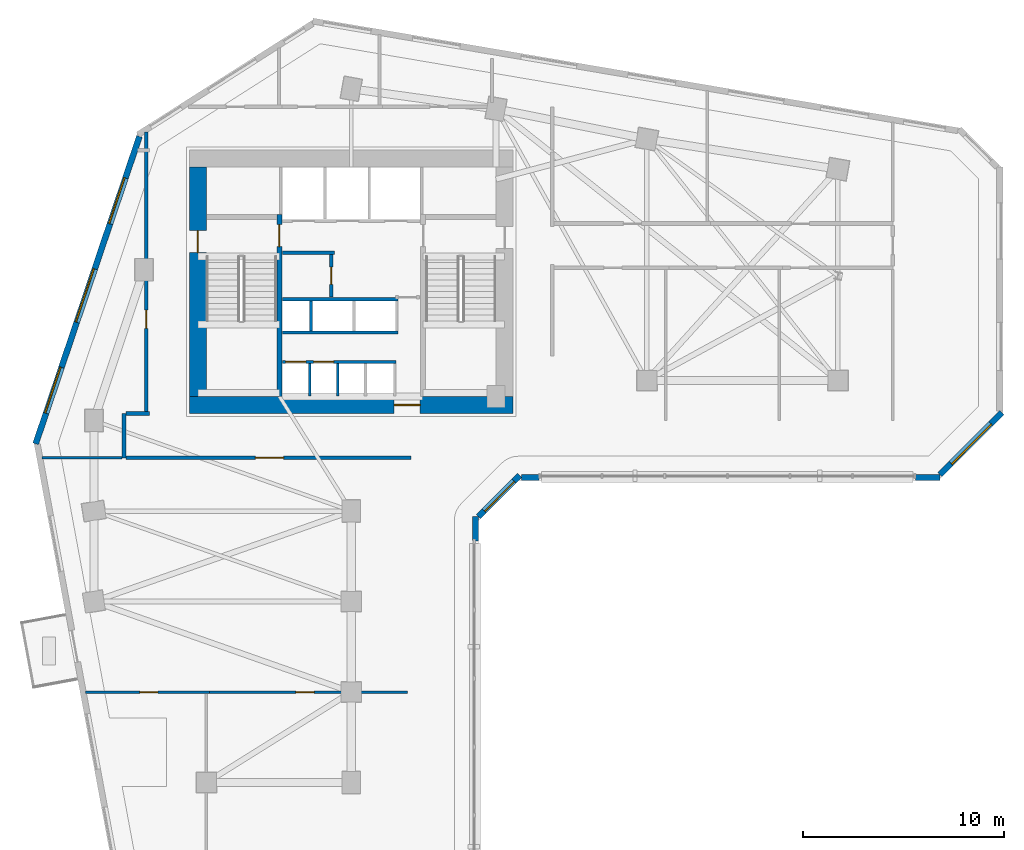
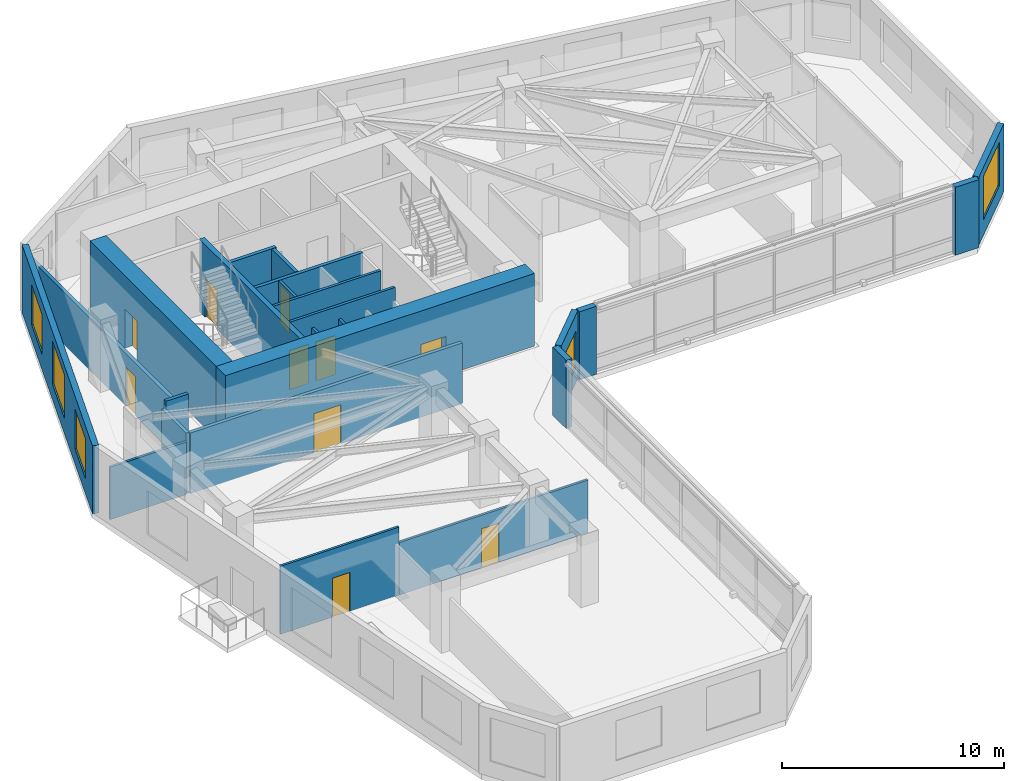
# One storey, part 5 of 9: 24 walls, 10 doors, 5 windows, 15 openings.
"""IFC4 building model written with IfcOpenShell, lengths in metres."""

from ifc_helpers import new_model, si_unit, direction, frame, frame_2d, origin, place, context, subcontext, project, spatial, rectangle, extrude, source, transform, mapped, material, layer, layer_set, type_object, element, fill, save


model = new_model("IFC4")

# Units and contexts
model_context = context("Model", 3, precision=1e-05, world=origin(), true_north=direction((0.0, 1.0)))
body_context = subcontext(model_context, "Body", "Model", "MODEL_VIEW")
ifc_project = project(units=[si_unit("LENGTHUNIT", "METRE"), si_unit("AREAUNIT", "SQUARE_METRE"), si_unit("VOLUMEUNIT", "CUBIC_METRE"), si_unit("PLANEANGLEUNIT", "RADIAN"), si_unit("MASSUNIT", "GRAM", prefix="KILO")], contexts=[model_context])

# Site, building, storey
site_placement = place(None, origin())
site = spatial("IfcSite", under=ifc_project, at=site_placement, CompositionType="ELEMENT")
building_placement = place(site_placement, origin())
building = spatial("IfcBuilding", under=site, at=building_placement, Name="Calvemar Wedge Station Tower", CompositionType="ELEMENT")
storey_placement = place(building_placement, frame((0.0, 0.0, 63.0)))
storey = spatial("IfcBuildingStorey", under=building, at=storey_placement, Name="L15", CompositionType="ELEMENT", Elevation=63.0)

# Wall, opening, door
ifc_material_1 = material(Name="Concrete C50", Category="concrete")
ifc_layer_1 = layer(ifc_material_1, 0.260009765625)
ifc_layer_set_1 = layer_set([ifc_layer_1], Name="Concrete C50")
wall_type_1 = type_object("IfcWallType", Name="SW-CORE-260", PredefinedType="SHEAR", material=ifc_layer_set_1)
wall_1_placement = place(storey_placement, frame((20.22998046875, 34.199951171875, 0.0), z_axis=(0.0, 0.0, 1.0), x_axis=(0.0, 1.0, 0.0)))
wall_1 = element("IfcWall", 1, at=wall_1_placement, inside=storey, type_object=wall_type_1, Name="Storey L15 Core Shear Wall SPINE-W", PredefinedType="SHEAR", context=body_context, shape_type="SweptSolid", body=[
    extrude(rectangle(XDim=9.06005859375, YDim=0.260009765625, at=frame_2d((4.530029296875, 0.0))), origin(), (0.0, 0.0, 1.0), 4.0),
])
shared_shape_1 = source(origin(), body_context, "Body", "SweptSolid", [
    extrude(rectangle(XDim=1.10009765625, YDim=2.14990234375, at=frame_2d((0.550048828125, 1.074951171875))), frame((0.0, 0.14013671875, 0.0), z_axis=(0.0, -1.0, 0.0), x_axis=(1.0, 0.0, 0.0)), (0.0, 0.0, 1.0), 0.280029296875),
])
opening_1_placement = place(wall_1_placement, frame((7.449951171875, 0.0, 0.0)))
opening_1 = element("IfcOpeningElement", 2, at=opening_1_placement, cuts=wall_1, Name="Opening FD-90", PredefinedType="OPENING", context=body_context, shape_type="MappedRepresentation", body=[
    mapped(shared_shape_1, transform((0.0, 0.0, 0.0), scale=1.0)),
])
ifc_material_2 = material(Name="Galvanized fire-rated steel door leaf P-90", Category="steel")
door_type_1 = type_object("IfcDoorType", Name="DR-FD90-1100", OperationType="NOTDEFINED", PredefinedType="DOOR", material=ifc_material_2)
shared_shape_2 = source(origin(), body_context, "Body", "SweptSolid", [
    extrude(rectangle(XDim=1.10009765625, YDim=2.14990234375, at=frame_2d((0.550048828125, 1.074951171875))), frame((0.0, 0.02490234375, 0.0), z_axis=(0.0, -1.0, 0.0), x_axis=(1.0, 0.0, 0.0)), (0.0, 0.0, 1.0), 0.050048828125),
])
door_1_placement = place(opening_1_placement, origin())
door_1 = element("IfcDoor", 3, at=door_1_placement, inside=storey, type_object=door_type_1, Name="L15 FF Lobby to Stair ST-C1 Door", OperationType="SINGLE_SWING_RIGHT", OverallHeight=2.14990234375, OverallWidth=1.10009765625, PredefinedType="DOOR", context=body_context, shape_type="MappedRepresentation", body=[
    mapped(shared_shape_2, transform((0.0, 0.0, 0.0), scale=1.0)),
])
fill(opening_1, door_1)

ifc_material_3 = material(Name="Concrete C80", Category="concrete")
ifc_layer_2 = layer(ifc_material_3, 0.85009765625)
ifc_layer_set_2 = layer_set([ifc_layer_2], Name="Concrete C80")
wall_type_2 = type_object("IfcWallType", Name="SW-CORE-850", PredefinedType="SHEAR", material=ifc_layer_set_2)
wall_2_placement = place(storey_placement, frame((15.75, 33.77490234375, 0.0), z_axis=(0.0, 0.0, 1.0), x_axis=(1.0, 0.0, 0.0)))
wall_2 = element("IfcWall", 4, at=wall_2_placement, inside=storey, type_object=wall_type_2, Name="Storey L15 Core Shear Wall S", PredefinedType="SHEAR", context=body_context, shape_type="SweptSolid", body=[
    extrude(rectangle(XDim=16.10009765625, YDim=0.85009765625, at=frame_2d((8.050048828125, 0.0))), origin(), (0.0, 0.0, 1.0), 4.0),
])
shared_shape_3 = source(origin(), body_context, "Body", "SweptSolid", [
    extrude(rectangle(XDim=1.300048828125, YDim=2.14990234375, at=frame_2d((0.64990234375, 1.074951171875))), frame((0.0, 0.43505859375, 0.0), z_axis=(0.0, -1.0, 0.0), x_axis=(1.0, 0.0, 0.0)), (0.0, 0.0, 1.0), 0.8701171875),
])
opening_2_placement = place(wall_2_placement, frame((10.179931640625, 0.0, 0.0)))
opening_2 = element("IfcOpeningElement", 5, at=opening_2_placement, cuts=wall_2, Name="Opening DD-130", PredefinedType="OPENING", context=body_context, shape_type="MappedRepresentation", body=[
    mapped(shared_shape_3, transform((0.0, 0.0, 0.0), scale=1.0)),
])
ifc_material_4 = material(Name="Double-leaf lift lobby fire door EI 60")
door_type_2 = type_object("IfcDoorType", Name="DR-DBL-1300", OperationType="DOUBLE_DOOR_SINGLE_SWING", PredefinedType="DOOR", material=ifc_material_4)
shared_shape_4 = source(origin(), body_context, "Body", "SweptSolid", [
    extrude(rectangle(XDim=1.300048828125, YDim=2.14990234375, at=frame_2d((0.64990234375, 1.074951171875))), frame((0.0, 0.02490234375, 0.0), z_axis=(0.0, -1.0, 0.0), x_axis=(1.0, 0.0, 0.0)), (0.0, 0.0, 1.0), 0.050048828125),
])
door_2_placement = place(opening_2_placement, origin())
door_2 = element("IfcDoor", 6, at=door_2_placement, inside=storey, type_object=door_type_2, Name="L15 Passenger Lift Lobby Door", OperationType="DOUBLE_DOOR_SINGLE_SWING", OverallHeight=2.14990234375, OverallWidth=1.300048828125, PredefinedType="DOOR", context=body_context, shape_type="MappedRepresentation", body=[
    mapped(shared_shape_4, transform((0.0, 0.0, 0.0), scale=1.0)),
])
fill(opening_2, door_2)

wall_3_placement = place(storey_placement, frame((16.175048828125, 34.199951171875, 0.0), z_axis=(0.0, 0.0, 1.0), x_axis=(0.0, 1.0, 0.0)))
wall_3 = element("IfcWall", 7, at=wall_3_placement, inside=storey, type_object=wall_type_2, Name="Storey L15 Core Shear Wall W", PredefinedType="SHEAR", context=body_context, shape_type="SweptSolid", body=[
    extrude(rectangle(XDim=11.400146484375, YDim=0.85009765625, at=frame_2d((5.7001953125, 0.0))), origin(), (0.0, 0.0, 1.0), 4.0),
])
shared_shape_5 = source(origin(), body_context, "Body", "SweptSolid", [
    extrude(rectangle(XDim=1.10009765625, YDim=2.14990234375, at=frame_2d((0.550048828125, 1.074951171875))), frame((0.0, 0.43505859375, 0.0), z_axis=(0.0, -1.0, 0.0), x_axis=(1.0, 0.0, 0.0)), (0.0, 0.0, 1.0), 0.8701171875),
])
opening_3_placement = place(wall_3_placement, frame((7.14990234375, 0.0, 0.0)))
opening_3 = element("IfcOpeningElement", 8, at=opening_3_placement, cuts=wall_3, Name="Opening FD-90", PredefinedType="OPENING", context=body_context, shape_type="MappedRepresentation", body=[
    mapped(shared_shape_5, transform((0.0, 0.0, 0.0), scale=1.0)),
])
door_3_placement = place(opening_3_placement, origin())
door_3 = element("IfcDoor", 9, at=door_3_placement, inside=storey, type_object=door_type_1, Name="L15 West Corridor to Exit Stair ST-C1 Door", OperationType="SINGLE_SWING_RIGHT", OverallHeight=2.14990234375, OverallWidth=1.10009765625, PredefinedType="DOOR", context=body_context, shape_type="MappedRepresentation", body=[
    mapped(shared_shape_2, transform((0.0, 0.0, 0.0), scale=1.0)),
])
fill(opening_3, door_3)

# Wall
ifc_material_5 = material(Name="Double-stud fire-rated corridor partition")
ifc_layer_3 = layer(ifc_material_5, 0.179931640625)
ifc_layer_set_3 = layer_set([ifc_layer_3], Name="Double-stud fire-rated corridor partition")
wall_type_3 = type_object("IfcWallType", Name="W-CORR-180", PredefinedType="PARTITIONING", material=ifc_layer_set_3)
wall_4_placement = place(storey_placement, frame((22.9599609375, 41.35009765625, 0.0), z_axis=(0.0, 0.0, 1.0), x_axis=(-1.0, 0.0, 0.0)))
element("IfcWall", 10, at=wall_4_placement, inside=storey, type_object=wall_type_3, Name="Storey L15 Interior Partition WL-L15-001", PredefinedType="PARTITIONING", context=body_context, shape_type="SweptSolid", body=[
    extrude(rectangle(XDim=2.580078125, YDim=0.179931640625, at=frame_2d((1.2900390625, 0.0))), origin(), (0.0, 0.0, 1.0), 3.75),
])

# Wall, opening, door
wall_5_placement = place(storey_placement, frame((22.800048828125, 41.256103515625, 0.0), z_axis=(0.0, 0.0, 1.0), x_axis=(0.0, -1.0, 0.0)))
wall_5 = element("IfcWall", 11, at=wall_5_placement, inside=storey, type_object=wall_type_3, Name="Storey L15 Interior Partition WL-L15-002", PredefinedType="PARTITIONING", context=body_context, shape_type="SweptSolid", body=[
    extrude(rectangle(XDim=2.106201171875, YDim=0.179931640625, at=frame_2d((1.05322265625, 0.0))), origin(), (0.0, 0.0, 1.0), 3.75),
])
shared_shape_6 = source(origin(), body_context, "Body", "SweptSolid", [
    extrude(rectangle(XDim=0.85009765625, YDim=2.14990234375, at=frame_2d((0.425048828125, 1.074951171875))), frame((0.0, 0.10009765625, 0.0), z_axis=(0.0, -1.0, 0.0), x_axis=(1.0, 0.0, 0.0)), (0.0, 0.0, 1.0), 0.199951171875),
])
opening_4_placement = place(wall_5_placement, frame((0.6279296875, 0.0, 0.0)))
opening_4 = element("IfcOpeningElement", 12, at=opening_4_placement, cuts=wall_5, Name="Opening FD-60S", PredefinedType="OPENING", context=body_context, shape_type="MappedRepresentation", body=[
    mapped(shared_shape_6, transform((0.0, 0.0, 0.0), scale=1.0)),
])
ifc_material_6 = material(Name="Fire-rated steel and hardwood service door EI 60", Category="steel")
door_type_3 = type_object("IfcDoorType", Name="DR-CORE-FD60-850", OperationType="NOTDEFINED", PredefinedType="DOOR", material=ifc_material_6)
shared_shape_7 = source(origin(), body_context, "Body", "SweptSolid", [
    extrude(rectangle(XDim=0.85009765625, YDim=2.14990234375, at=frame_2d((0.425048828125, 1.074951171875))), frame((0.0, 0.02490234375, 0.0), z_axis=(0.0, -1.0, 0.0), x_axis=(1.0, 0.0, 0.0)), (0.0, 0.0, 1.0), 0.050048828125),
])
door_4_placement = place(opening_4_placement, origin())
door_4 = element("IfcDoor", 13, at=door_4_placement, inside=storey, type_object=door_type_3, Name="L15 Core Electrical Switch Room Door", OperationType="SINGLE_SWING_RIGHT", OverallHeight=2.14990234375, OverallWidth=0.85009765625, PredefinedType="DOOR", context=body_context, shape_type="MappedRepresentation", body=[
    mapped(shared_shape_7, transform((0.0, 0.0, 0.0), scale=1.0)),
])
fill(opening_4, door_4)

# Walls
wall_6_placement = place(storey_placement, frame((12.5, 31.14990234375, 0.0), z_axis=(0.0, 0.0, 1.0), x_axis=(0.0, 1.0, 0.0)))
element("IfcWall", 14, at=wall_6_placement, inside=storey, type_object=wall_type_3, Name="Storey L15 Interior Partition WL-L15-004", PredefinedType="PARTITIONING", context=body_context, shape_type="SweptSolid", body=[
    extrude(rectangle(XDim=2.2001953125, YDim=0.179931640625, at=frame_2d((1.10009765625, 0.0))), origin(), (0.0, 0.0, 1.0), 3.3349609375),
])
wall_7_placement = place(storey_placement, frame((12.593994140625, 33.35009765625, 0.0), z_axis=(0.0, 0.0, 1.0), x_axis=(1.0, 0.0, 0.0)))
element("IfcWall", 15, at=wall_7_placement, inside=storey, type_object=wall_type_3, Name="Storey L15 Interior Partition WL-L15-005", PredefinedType="PARTITIONING", context=body_context, shape_type="SweptSolid", body=[
    extrude(rectangle(XDim=1.166015625, YDim=0.179931640625, at=frame_2d((0.5830078125, 0.0))), origin(), (0.0, 0.0, 1.0), 3.75),
])

# Wall, opening, door
wall_8_placement = place(storey_placement, frame((26.760009765625, 31.14990234375, 0.0), z_axis=(0.0, 0.0, 1.0), x_axis=(-1.0, 0.0, 0.0)))
wall_8 = element("IfcWall", 16, at=wall_8_placement, inside=storey, type_object=wall_type_3, Name="Storey L15 Interior Partition WL-L15-006", PredefinedType="PARTITIONING", context=body_context, shape_type="SweptSolid", body=[
    extrude(rectangle(XDim=14.166015625, YDim=0.179931640625, at=frame_2d((7.0830078125, 0.0))), origin(), (0.0, 0.0, 1.0), 3.3349609375),
])
shared_shape_8 = source(origin(), body_context, "Body", "SweptSolid", [
    extrude(rectangle(XDim=1.39990234375, YDim=2.14990234375, at=frame_2d((0.699951171875, 1.074951171875))), frame((0.0, 0.10009765625, 0.0), z_axis=(0.0, -1.0, 0.0), x_axis=(1.0, 0.0, 0.0)), (0.0, 0.0, 1.0), 0.199951171875),
])
opening_5_placement = place(wall_8_placement, frame((6.322509765625, 0.0, 0.0)))
opening_5 = element("IfcOpeningElement", 17, at=opening_5_placement, cuts=wall_8, Name="Opening DD-140", PredefinedType="OPENING", context=body_context, shape_type="MappedRepresentation", body=[
    mapped(shared_shape_8, transform((0.0, 0.0, 0.0), scale=1.0)),
])
ifc_material_7 = material(Name="Double-leaf corridor acoustic fire door EI 60")
door_type_4 = type_object("IfcDoorType", Name="DR-DBL-1400", OperationType="DOUBLE_DOOR_SINGLE_SWING", PredefinedType="DOOR", material=ifc_material_7)
shared_shape_9 = source(origin(), body_context, "Body", "SweptSolid", [
    extrude(rectangle(XDim=1.39990234375, YDim=2.14990234375, at=frame_2d((0.699951171875, 1.074951171875))), frame((0.0, 0.02490234375, 0.0), z_axis=(0.0, -1.0, 0.0), x_axis=(1.0, 0.0, 0.0)), (0.0, 0.0, 1.0), 0.050048828125),
])
door_5_placement = place(opening_5_placement, origin())
door_5 = element("IfcDoor", 18, at=door_5_placement, inside=storey, type_object=door_type_4, Name="L15 Co-Working Studio Door", OperationType="SINGLE_SWING_RIGHT", OverallHeight=2.14990234375, OverallWidth=1.39990234375, PredefinedType="DOOR", context=body_context, shape_type="MappedRepresentation", body=[
    mapped(shared_shape_9, transform((0.0, 0.0, 0.0), scale=1.0)),
])
fill(opening_5, door_5)

wall_9_placement = place(storey_placement, frame((13.60009765625, 33.444091796875, 0.0), z_axis=(0.0, 0.0, 1.0), x_axis=(0.0, 1.0, 0.0)))
wall_9 = element("IfcWall", 19, at=wall_9_placement, inside=storey, type_object=wall_type_3, Name="Storey L15 Interior Partition WL-L15-007", PredefinedType="PARTITIONING", context=body_context, shape_type="SweptSolid", body=[
    extrude(rectangle(XDim=13.896240234375, YDim=0.179931640625, at=frame_2d((6.9482421875, 0.0))), origin(), (0.0, 0.0, 1.0), 2.89208984375),
])
shared_shape_10 = source(origin(), body_context, "Body", "SweptSolid", [
    extrude(rectangle(XDim=0.89990234375, YDim=2.14990234375, at=frame_2d((0.449951171875, 1.074951171875))), frame((0.0, 0.10009765625, 0.0), z_axis=(0.0, -1.0, 0.0), x_axis=(1.0, 0.0, 0.0)), (0.0, 0.0, 1.0), 0.199951171875),
])
opening_6_placement = place(wall_9_placement, frame((4.143798828125, 0.0, 0.0)))
opening_6 = element("IfcOpeningElement", 20, at=opening_6_placement, cuts=wall_9, Name="Opening D-01", PredefinedType="OPENING", context=body_context, shape_type="MappedRepresentation", body=[
    mapped(shared_shape_10, transform((0.0, 0.0, 0.0), scale=1.0)),
])
ifc_material_8 = material(Name="Architectural hardwood acoustic swing door", Category="wood")
door_type_5 = type_object("IfcDoorType", Name="DR-INT-900", OperationType="NOTDEFINED", PredefinedType="DOOR", material=ifc_material_8)
shared_shape_11 = source(origin(), body_context, "Body", "SweptSolid", [
    extrude(rectangle(XDim=0.89990234375, YDim=2.14990234375, at=frame_2d((0.449951171875, 1.074951171875))), frame((0.0, 0.02490234375, 0.0), z_axis=(0.0, -1.0, 0.0), x_axis=(1.0, 0.0, 0.0)), (0.0, 0.0, 1.0), 0.050048828125),
])
door_6_placement = place(opening_6_placement, origin())
door_6 = element("IfcDoor", 21, at=door_6_placement, inside=storey, type_object=door_type_5, Name="L15 Co-Working Studio Door", OperationType="SINGLE_SWING_RIGHT", OverallHeight=2.14990234375, OverallWidth=0.89990234375, PredefinedType="DOOR", context=body_context, shape_type="MappedRepresentation", body=[
    mapped(shared_shape_11, transform((0.0, 0.0, 0.0), scale=1.0)),
])
fill(opening_6, door_6)

# Wall
ifc_material_9 = material(Name="Precast concrete C45", Category="concrete")
ifc_layer_4 = layer(ifc_material_9, 0.300048828125)
ifc_layer_set_4 = layer_set([ifc_layer_4], Name="Precast concrete C45")
wall_type_4 = type_object("IfcWallType", Name="W-EXT-GFRC-300", PredefinedType="SOLIDWALL", material=ifc_layer_set_4)
wall_10_placement = place(storey_placement, frame((29.97802734375, 27.01513671875, 0.0), z_axis=(0.0, 0.0, 1.0), x_axis=(0.0, 1.0, 0.0)))
element("IfcWall", 22, at=wall_10_placement, inside=storey, type_object=wall_type_4, Name="Storey L15 Bronze GFRC Corner Pier 4B", PredefinedType="SOLIDWALL", context=body_context, shape_type="SweptSolid", body=[
    extrude(rectangle(XDim=1.224853515625, YDim=0.300048828125, at=frame_2d((0.6123046875, 0.0))), origin(), (0.0, 0.0, 1.0), 3.75),
])

# Wall, opening, window
wall_11_placement = place(storey_placement, frame((30.115966796875, 28.22802734375, 0.0), z_axis=(0.0, 0.0, 1.0), x_axis=(0.707064797706, 0.707148762175, 0.0)))
wall_11 = element("IfcWall", 23, at=wall_11_placement, inside=storey, type_object=wall_type_4, Name="Storey L15 Bronze GFRC Exterior Wall 5", PredefinedType="SOLIDWALL", context=body_context, shape_type="SweptSolid", body=[
    extrude(rectangle(XDim=2.90771484375, YDim=0.300048828125, at=frame_2d((1.453857421875, 0.0))), origin(), (0.0, 0.0, 1.0), 3.75),
])
shared_shape_12 = source(origin(), body_context, "Body", "SweptSolid", [
    extrude(rectangle(XDim=2.10009765625, YDim=2.0, at=frame_2d((1.050048828125, 1.0))), frame((0.0, 0.16015625, 0.0), z_axis=(0.0, -1.0, 0.0), x_axis=(1.0, 0.0, 0.0)), (0.0, 0.0, 1.0), 0.320068359375),
])
opening_7_placement = place(wall_11_placement, frame((0.404052734375, 0.0, 0.85009765625)))
opening_7 = element("IfcOpeningElement", 24, at=opening_7_placement, cuts=wall_11, Name="Opening W4", PredefinedType="OPENING", context=body_context, shape_type="MappedRepresentation", body=[
    mapped(shared_shape_12, transform((0.0, 0.0, 0.0), scale=1.0)),
])
ifc_material_10 = material(Name="Low-E laminated insulated glass", Category="glass")
window_type_1 = type_object("IfcWindowType", Name="WIN-EXT-4", PartitioningType="SINGLE_PANEL", PredefinedType="WINDOW", material=ifc_material_10)
shared_shape_13 = source(origin(), body_context, "Body", "SweptSolid", [
    extrude(rectangle(XDim=2.10009765625, YDim=2.0, at=frame_2d((1.050048828125, 1.0))), frame((0.0, -0.014892578125, 0.0), z_axis=(0.0, -1.0, 0.0), x_axis=(1.0, 0.0, 0.0)), (0.0, 0.0, 1.0), 0.06005859375),
])
window_1_placement = place(opening_7_placement, origin())
window_1 = element("IfcWindow", 25, at=window_1_placement, inside=storey, type_object=window_type_1, Name="Storey L15 Recessed Window 5.1", OverallHeight=2.0, OverallWidth=2.10009765625, PartitioningType="SINGLE_PANEL", PredefinedType="WINDOW", context=body_context, shape_type="MappedRepresentation", body=[
    mapped(shared_shape_13, transform((0.0, 0.0, 0.0), scale=1.0)),
])
fill(opening_7, window_1)

# Walls
wall_12_placement = place(storey_placement, frame((32.260986328125, 30.177978515625, 0.0), z_axis=(0.0, 0.0, 1.0), x_axis=(1.0, 0.0, 0.0)))
element("IfcWall", 26, at=wall_12_placement, inside=storey, type_object=wall_type_4, Name="Storey L15 Bronze GFRC Corner Pier 6A", PredefinedType="SOLIDWALL", context=body_context, shape_type="SweptSolid", body=[
    extrude(rectangle(XDim=0.8798828125, YDim=0.300048828125, at=frame_2d((0.43994140625, 0.0))), origin(), (0.0, 0.0, 1.0), 3.75),
])
wall_13_placement = place(storey_placement, frame((51.86279296875, 30.177978515625, 0.0), z_axis=(0.0, 0.0, 1.0), x_axis=(1.0, 0.0, 0.0)))
element("IfcWall", 27, at=wall_13_placement, inside=storey, type_object=wall_type_4, Name="Storey L15 Bronze GFRC Corner Pier 6B", PredefinedType="SOLIDWALL", context=body_context, shape_type="SweptSolid", body=[
    extrude(rectangle(XDim=1.22509765625, YDim=0.300048828125, at=frame_2d((0.612548828125, 0.0))), origin(), (0.0, 0.0, 1.0), 3.75),
])

# Wall, opening, window
wall_14_placement = place(storey_placement, frame((53.075927734375, 30.31591796875, 0.0), z_axis=(0.0, 0.0, 1.0), x_axis=(0.707078757535, 0.707134803727, 0.0)))
wall_14 = element("IfcWall", 28, at=wall_14_placement, inside=storey, type_object=wall_type_4, Name="Storey L15 Bronze GFRC Exterior Wall 7", PredefinedType="SOLIDWALL", context=body_context, shape_type="SweptSolid", body=[
    extrude(rectangle(XDim=4.35595703125, YDim=0.300048828125, at=frame_2d((2.177978515625, 0.0))), origin(), (0.0, 0.0, 1.0), 3.75),
])
shared_shape_14 = source(origin(), body_context, "Body", "SweptSolid", [
    extrude(rectangle(XDim=2.800048828125, YDim=2.39990234375, at=frame_2d((1.39990234375, 1.199951171875))), frame((0.0, 0.16015625, 0.0), z_axis=(0.0, -1.0, 0.0), x_axis=(1.0, 0.0, 0.0)), (0.0, 0.0, 1.0), 0.320068359375),
])
opening_8_placement = place(wall_14_placement, frame((0.778076171875, 0.0, 0.85009765625)))
opening_8 = element("IfcOpeningElement", 29, at=opening_8_placement, cuts=wall_14, Name="Opening W6", PredefinedType="OPENING", context=body_context, shape_type="MappedRepresentation", body=[
    mapped(shared_shape_14, transform((0.0, 0.0, 0.0), scale=1.0)),
])
window_type_2 = type_object("IfcWindowType", Name="WIN-EXT-6", PartitioningType="SINGLE_PANEL", PredefinedType="WINDOW", material=ifc_material_10)
shared_shape_15 = source(origin(), body_context, "Body", "SweptSolid", [
    extrude(rectangle(XDim=2.800048828125, YDim=2.39990234375, at=frame_2d((1.39990234375, 1.199951171875))), frame((0.0, -0.014892578125, 0.0), z_axis=(0.0, -1.0, 0.0), x_axis=(1.0, 0.0, 0.0)), (0.0, 0.0, 1.0), 0.06005859375),
])
window_2_placement = place(opening_8_placement, origin())
window_2 = element("IfcWindow", 30, at=window_2_placement, inside=storey, type_object=window_type_2, Name="Storey L15 Recessed Window 7.1", OverallHeight=2.39990234375, OverallWidth=2.800048828125, PartitioningType="SINGLE_PANEL", PredefinedType="WINDOW", context=body_context, shape_type="MappedRepresentation", body=[
    mapped(shared_shape_15, transform((0.0, 0.0, 0.0), scale=1.0)),
])
fill(opening_8, window_2)

# Wall, openings, windows
wall_15_placement = place(storey_placement, frame((13.2685546875, 47.1337890625, 0.0), z_axis=(0.0, 0.0, 1.0), x_axis=(-0.319920423265, -0.947444416722, 0.0)))
wall_15 = element("IfcWall", 31, at=wall_15_placement, inside=storey, type_object=wall_type_4, Name="Storey L15 Bronze GFRC Exterior Wall 12", PredefinedType="SOLIDWALL", context=body_context, shape_type="SweptSolid", body=[
    extrude(rectangle(XDim=16.134765625, YDim=0.300048828125, at=frame_2d((8.0673828125, 0.0))), origin(), (0.0, 0.0, 1.0), 3.75),
])
shared_shape_16 = source(origin(), body_context, "Body", "SweptSolid", [
    extrude(rectangle(XDim=2.39990234375, YDim=2.199951171875, at=frame_2d((1.199951171875, 1.10009765625))), frame((0.0, 0.16015625, 0.0), z_axis=(0.0, -1.0, 0.0), x_axis=(1.0, 0.0, 0.0)), (0.0, 0.0, 1.0), 0.320068359375),
])
opening_9_placement = place(wall_15_placement, frame((2.18798828125, 0.0, 0.85009765625)))
opening_9 = element("IfcOpeningElement", 32, at=opening_9_placement, cuts=wall_15, Name="Opening W1", PredefinedType="OPENING", context=body_context, shape_type="MappedRepresentation", body=[
    mapped(shared_shape_16, transform((0.0, 0.0, 0.0), scale=1.0)),
])
opening_10_placement = place(wall_15_placement, frame((6.958984375, 0.0, 0.85009765625)))
opening_10 = element("IfcOpeningElement", 33, at=opening_10_placement, cuts=wall_15, Name="Opening W6", PredefinedType="OPENING", context=body_context, shape_type="MappedRepresentation", body=[
    mapped(shared_shape_14, transform((0.0, 0.0, 0.0), scale=1.0)),
])
opening_11_placement = place(wall_15_placement, frame((12.1298828125, 0.0, 0.85009765625)))
opening_11 = element("IfcOpeningElement", 34, at=opening_11_placement, cuts=wall_15, Name="Opening W1", PredefinedType="OPENING", context=body_context, shape_type="MappedRepresentation", body=[
    mapped(shared_shape_16, transform((0.0, 0.0, 0.0), scale=1.0)),
])
window_3_placement = place(opening_10_placement, origin())
window_3 = element("IfcWindow", 35, at=window_3_placement, inside=storey, type_object=window_type_2, Name="Storey L15 Recessed Window 12.2", OverallHeight=2.39990234375, OverallWidth=2.800048828125, PartitioningType="SINGLE_PANEL", PredefinedType="WINDOW", context=body_context, shape_type="MappedRepresentation", body=[
    mapped(shared_shape_15, transform((0.0, 0.0, 0.0), scale=1.0)),
])
fill(opening_10, window_3)
window_type_3 = type_object("IfcWindowType", Name="WIN-EXT-1", PartitioningType="SINGLE_PANEL", PredefinedType="WINDOW", material=ifc_material_10)
shared_shape_17 = source(origin(), body_context, "Body", "SweptSolid", [
    extrude(rectangle(XDim=2.39990234375, YDim=2.199951171875, at=frame_2d((1.199951171875, 1.10009765625))), frame((0.0, -0.014892578125, 0.0), z_axis=(0.0, -1.0, 0.0), x_axis=(1.0, 0.0, 0.0)), (0.0, 0.0, 1.0), 0.06005859375),
])
window_4_placement = place(opening_9_placement, origin())
window_4 = element("IfcWindow", 36, at=window_4_placement, inside=storey, type_object=window_type_3, Name="Storey L15 Recessed Window 12.1", OverallHeight=2.199951171875, OverallWidth=2.39990234375, PartitioningType="SINGLE_PANEL", PredefinedType="WINDOW", context=body_context, shape_type="MappedRepresentation", body=[
    mapped(shared_shape_17, transform((0.0, 0.0, 0.0), scale=1.0)),
])
fill(opening_9, window_4)
window_5_placement = place(opening_11_placement, origin())
window_5 = element("IfcWindow", 37, at=window_5_placement, inside=storey, type_object=window_type_3, Name="Storey L15 Recessed Window 12.3", OverallHeight=2.199951171875, OverallWidth=2.39990234375, PartitioningType="SINGLE_PANEL", PredefinedType="WINDOW", context=body_context, shape_type="MappedRepresentation", body=[
    mapped(shared_shape_17, transform((0.0, 0.0, 0.0), scale=1.0)),
])
fill(opening_11, window_5)

# Wall, openings, doors
ifc_material_11 = material(Name="Reinforced concrete blockwork lift shaft wall", Category="masonry")
ifc_layer_5 = layer(ifc_material_11, 0.139892578125)
ifc_layer_set_5 = layer_set([ifc_layer_5], Name="Reinforced concrete blockwork lift shaft wall")
wall_type_5 = type_object("IfcWallType", Name="W-LIFT-160", PredefinedType="SOLIDWALL", material=ifc_layer_set_5)
wall_16_placement = place(storey_placement, frame((20.3798828125, 35.919921875, 0.0), z_axis=(0.0, 0.0, 1.0), x_axis=(1.0, 0.0, 0.0)))
wall_16 = element("IfcWall", 38, at=wall_16_placement, inside=storey, type_object=wall_type_5, Name="Storey L15 South Passenger Lift Bank Front Wall", PredefinedType="SOLIDWALL", context=body_context, shape_type="SweptSolid", body=[
    extrude(rectangle(XDim=5.650146484375, YDim=0.139892578125, at=frame_2d((2.8251953125, 0.0))), origin(), (0.0, 0.0, 1.0), 3.75),
])
shared_shape_18 = source(origin(), body_context, "Body", "SweptSolid", [
    extrude(rectangle(XDim=1.0, YDim=2.14990234375, at=frame_2d((0.5, 1.074951171875))), frame((0.0, 0.080078125, 0.0), z_axis=(0.0, -1.0, 0.0), x_axis=(1.0, 0.0, 0.0)), (0.0, 0.0, 1.0), 0.159912109375),
])
opening_12_placement = place(wall_16_placement, frame((0.159912109375, 0.0, 0.0)))
opening_12 = element("IfcOpeningElement", 39, at=opening_12_placement, cuts=wall_16, Name="Opening LD-PAX", PredefinedType="OPENING", context=body_context, shape_type="MappedRepresentation", body=[
    mapped(shared_shape_18, transform((0.0, 0.0, 0.0), scale=1.0)),
])
opening_13_placement = place(wall_16_placement, frame((1.550048828125, 0.0, 0.0)))
opening_13 = element("IfcOpeningElement", 40, at=opening_13_placement, cuts=wall_16, Name="Opening LD-PAX", PredefinedType="OPENING", context=body_context, shape_type="MappedRepresentation", body=[
    mapped(shared_shape_18, transform((0.0, 0.0, 0.0), scale=1.0)),
])
ifc_material_12 = material(Name="Anodised bronze passenger lift sliding landing door")
door_type_6 = type_object("IfcDoorType", Name="DR-LD-PAX-1000", OperationType="SLIDING_TO_LEFT", PredefinedType="DOOR", material=ifc_material_12)
shared_shape_19 = source(origin(), body_context, "Body", "SweptSolid", [
    extrude(rectangle(XDim=1.0, YDim=2.14990234375, at=frame_2d((0.5, 1.074951171875))), frame((0.0, 0.02490234375, 0.0), z_axis=(0.0, -1.0, 0.0), x_axis=(1.0, 0.0, 0.0)), (0.0, 0.0, 1.0), 0.050048828125),
])
door_7_placement = place(opening_12_placement, origin())
door_7 = element("IfcDoor", 41, at=door_7_placement, inside=storey, type_object=door_type_6, Name="L15 Lift OL-01 Sliding Landing Door", OperationType="SLIDING_TO_LEFT", OverallHeight=2.14990234375, OverallWidth=1.0, PredefinedType="DOOR", context=body_context, shape_type="MappedRepresentation", body=[
    mapped(shared_shape_19, transform((0.0, 0.0, 0.0), scale=1.0)),
])
fill(opening_12, door_7)
door_8_placement = place(opening_13_placement, origin())
door_8 = element("IfcDoor", 42, at=door_8_placement, inside=storey, type_object=door_type_6, Name="L15 Lift OL-02 Sliding Landing Door", OperationType="SLIDING_TO_RIGHT", OverallHeight=2.14990234375, OverallWidth=1.0, PredefinedType="DOOR", context=body_context, shape_type="MappedRepresentation", body=[
    mapped(shared_shape_19, transform((0.0, 0.0, 0.0), scale=1.0)),
])
fill(opening_13, door_8)

# Walls
for number, where, z_axis, x_axis, name in (
    (43, (21.735107421875, 34.219970703125, 0.0), (0.0, 0.0, 1.0), (0.0, 1.0, 0.0), "Storey L15 South Passenger Lift Shaft Wall D1"),
    (44, (23.125, 34.219970703125, 0.0), (0.0, 0.0, 1.0), (0.0, 1.0, 0.0), "Storey L15 South Passenger Lift Shaft Wall D2"),
):
    element("IfcWall", number, at=place(storey_placement, frame(where, z_axis=z_axis, x_axis=x_axis)), inside=storey, type_object=wall_type_5, Name=name, PredefinedType="SOLIDWALL", context=body_context, shape_type="SweptSolid", body=[
        extrude(rectangle(XDim=1.6201171875, YDim=0.139892578125, at=frame_2d((0.81005859375, 0.0))), origin(), (0.0, 0.0, 1.0), 3.0419921875),
    ])
wall_17_placement = place(storey_placement, frame((20.3798828125, 37.3798828125, 0.0), z_axis=(0.0, 0.0, 1.0), x_axis=(1.0, 0.0, 0.0)))
element("IfcWall", 45, at=wall_17_placement, inside=storey, type_object=wall_type_5, Name="Storey L15 Upper Passenger Lift Bank Front Wall", PredefinedType="SOLIDWALL", context=body_context, shape_type="SweptSolid", body=[
    extrude(rectangle(XDim=5.75, YDim=0.139892578125, at=frame_2d((2.875, 0.0))), origin(), (0.0, 0.0, 1.0), 3.75),
])
wall_18_placement = place(storey_placement, frame((21.794921875, 37.4599609375, 0.0), z_axis=(0.0, 0.0, 1.0), x_axis=(0.0, 1.0, 0.0)))
element("IfcWall", 46, at=wall_18_placement, inside=storey, type_object=wall_type_5, Name="Storey L15 Upper Passenger Lift Shaft Wall D1", PredefinedType="SOLIDWALL", context=body_context, shape_type="SweptSolid", body=[
    extrude(rectangle(XDim=1.47998046875, YDim=0.139892578125, at=frame_2d((0.739990234375, 0.0))), origin(), (0.0, 0.0, 1.0), 3.75),
])
ifc_material_13 = material(Name="Insulated acoustic gypsum stud partition")
ifc_layer_6 = layer(ifc_material_13, 0.125)
ifc_layer_set_6 = layer_set([ifc_layer_6], Name="Insulated acoustic gypsum stud partition")
wall_type_6 = type_object("IfcWallType", Name="W-PART-125", PredefinedType="PARTITIONING", material=ifc_layer_set_6)
wall_19_placement = place(storey_placement, frame((12.406005859375, 31.14990234375, 0.0), z_axis=(0.0, 0.0, 1.0), x_axis=(-1.0, 0.0, 0.0)))
element("IfcWall", 47, at=wall_19_placement, inside=storey, type_object=wall_type_6, Name="Storey L15 Interior Partition WL-L15-015", PredefinedType="PARTITIONING", context=body_context, shape_type="SweptSolid", body=[
    extrude(rectangle(XDim=3.97900390625, YDim=0.125, at=frame_2d((1.989501953125, 0.0))), origin(), (0.0, 0.0, 1.0), 2.89208984375),
])

# Wall, opening, door
wall_20_placement = place(storey_placement, frame((16.760009765625, 19.5, 0.0), z_axis=(0.0, 0.0, 1.0), x_axis=(-1.0, 0.0, 0.0)))
wall_20 = element("IfcWall", 48, at=wall_20_placement, inside=storey, type_object=wall_type_6, Name="Storey L15 Interior Partition WL-L15-029", PredefinedType="PARTITIONING", context=body_context, shape_type="SweptSolid", body=[
    extrude(rectangle(XDim=6.1748046875, YDim=0.125, at=frame_2d((3.08740234375, 0.0))), origin(), (0.0, 0.0, 1.0), 3.75),
])
shared_shape_20 = source(origin(), body_context, "Body", "SweptSolid", [
    extrude(rectangle(XDim=0.89990234375, YDim=2.14990234375, at=frame_2d((0.449951171875, 1.074951171875))), frame((0.0, 0.072509765625, 0.0), z_axis=(0.0, -1.0, 0.0), x_axis=(1.0, 0.0, 0.0)), (0.0, 0.0, 1.0), 0.14501953125),
])
opening_14_placement = place(wall_20_placement, frame((2.576904296875, 0.0, 0.0)))
opening_14 = element("IfcOpeningElement", 49, at=opening_14_placement, cuts=wall_20, Name="Opening D-01", PredefinedType="OPENING", context=body_context, shape_type="MappedRepresentation", body=[
    mapped(shared_shape_20, transform((0.0, 0.0, 0.0), scale=1.0)),
])
door_9_placement = place(opening_14_placement, origin())
door_9 = element("IfcDoor", 50, at=door_9_placement, inside=storey, type_object=door_type_5, Name="L15 Conference Room Door", OperationType="SINGLE_SWING_LEFT", OverallHeight=2.14990234375, OverallWidth=0.89990234375, PredefinedType="DOOR", context=body_context, shape_type="MappedRepresentation", body=[
    mapped(shared_shape_11, transform((0.0, 0.0, 0.0), scale=1.0)),
])
fill(opening_14, door_9)

wall_21_placement = place(storey_placement, frame((26.60009765625, 19.5, 0.0), z_axis=(0.0, 0.0, 1.0), x_axis=(-1.0, 0.0, 0.0)))
wall_21 = element("IfcWall", 51, at=wall_21_placement, inside=storey, type_object=wall_type_6, Name="Storey L15 Interior Partition WL-L15-030", PredefinedType="PARTITIONING", context=body_context, shape_type="SweptSolid", body=[
    extrude(rectangle(XDim=9.838134765625, YDim=0.125, at=frame_2d((4.9189453125, 0.0))), origin(), (0.0, 0.0, 1.0), 2.89208984375),
])
opening_15_placement = place(wall_21_placement, frame((4.651123046875, 0.0, 0.0)))
opening_15 = element("IfcOpeningElement", 52, at=opening_15_placement, cuts=wall_21, Name="Opening D-01", PredefinedType="OPENING", context=body_context, shape_type="MappedRepresentation", body=[
    mapped(shared_shape_20, transform((0.0, 0.0, 0.0), scale=1.0)),
])
door_10_placement = place(opening_15_placement, origin())
door_10 = element("IfcDoor", 53, at=door_10_placement, inside=storey, type_object=door_type_5, Name="L15 Business Lounge Door", OperationType="SINGLE_SWING_RIGHT", OverallHeight=2.14990234375, OverallWidth=0.89990234375, PredefinedType="DOOR", context=body_context, shape_type="MappedRepresentation", body=[
    mapped(shared_shape_11, transform((0.0, 0.0, 0.0), scale=1.0)),
])
fill(opening_15, door_10)

# Wall
ifc_material_14 = material(Name="Concrete blockwork and fireboard shaft wall", Category="masonry")
ifc_layer_7 = layer(ifc_material_14, 0.199951171875)
ifc_layer_set_7 = layer_set([ifc_layer_7], Name="Concrete blockwork and fireboard shaft wall")
wall_type_7 = type_object("IfcWallType", Name="W-SHAFT-200", PredefinedType="SOLIDWALL", material=ifc_layer_set_7)
wall_22_placement = place(storey_placement, frame((20.3798828125, 39.0400390625, 0.0), z_axis=(0.0, 0.0, 1.0), x_axis=(1.0, 0.0, 0.0)))
element("IfcWall", 54, at=wall_22_placement, inside=storey, type_object=wall_type_7, Name="Storey L15 Upper Passenger Lift Bank Rear Shaft Wall", PredefinedType="SOLIDWALL", context=body_context, shape_type="SweptSolid", body=[
    extrude(rectangle(XDim=5.75, YDim=0.179931640625, at=frame_2d((2.875, 0.0))), origin(), (0.0, 0.0, 1.0), 3.75),
])

save(model, "model.ifc")
